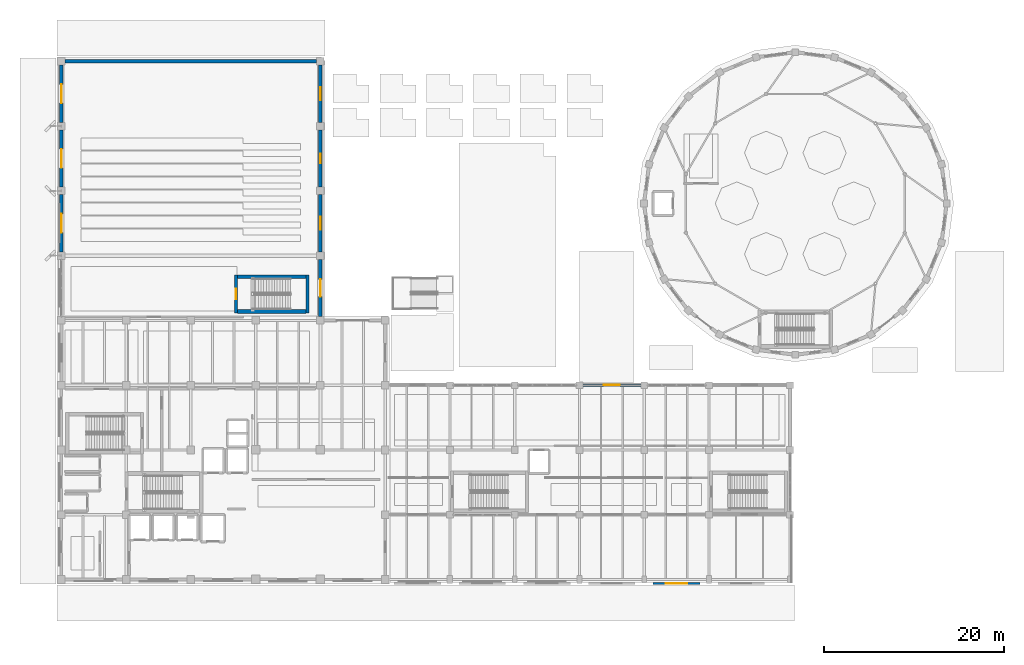
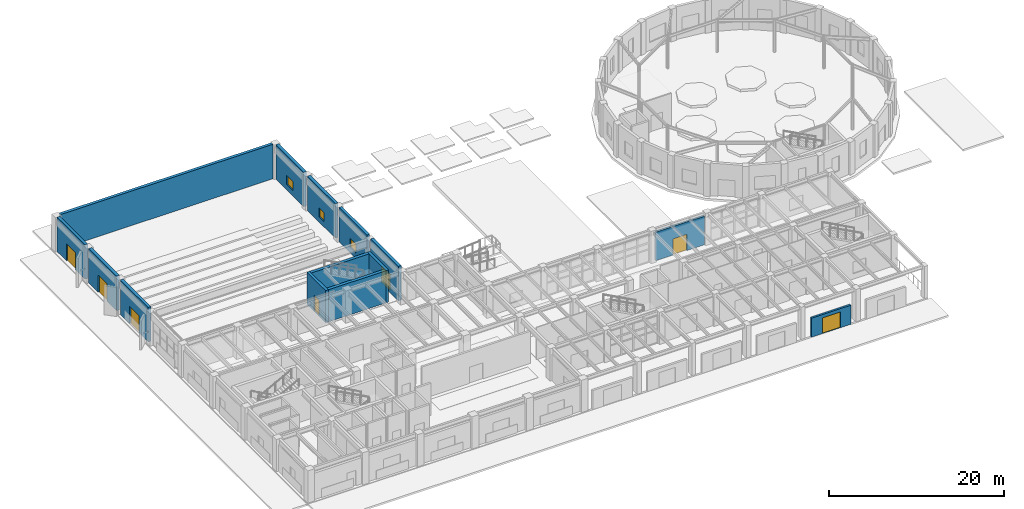
# One storey, part 26 of 39: 14 walls, 7 doors, 3 windows, 10 openings.
"""IFC4 building model written with IfcOpenShell, lengths in metres."""

from ifc_helpers import new_model, si_unit, direction, frame, frame_2d, origin, place, context, subcontext, project, spatial, rectangle, extrude, material, layer, layer_set, type_object, element, fill, save


model = new_model("IFC4")

# Units and contexts
model_context = context("Model", 3, precision=1e-05, world=origin(), true_north=direction((0.0, 1.0)))
body_context = subcontext(model_context, "Body", "Model", "MODEL_VIEW")
ifc_project = project(units=[si_unit("LENGTHUNIT", "METRE"), si_unit("AREAUNIT", "SQUARE_METRE"), si_unit("VOLUMEUNIT", "CUBIC_METRE"), si_unit("PLANEANGLEUNIT", "RADIAN"), si_unit("MASSUNIT", "GRAM", prefix="KILO")], contexts=[model_context])

# Site, building, storey
site_placement = place(None, origin())
site = spatial("IfcSite", under=ifc_project, at=site_placement, CompositionType="ELEMENT")
building_placement = place(site_placement, origin())
building = spatial("IfcBuilding", under=site, at=building_placement, Name="Kandorven Conservatory and Botanical Research Centre", CompositionType="ELEMENT")
storey_placement = place(building_placement, origin())
storey = spatial("IfcBuildingStorey", under=building, at=storey_placement, Name="L00", CompositionType="ELEMENT", Elevation=0.0)

# Walls
ifc_material_1 = material(Name="Concrete C40/50 (M50)", Category="concrete")
ifc_layer_1 = layer(ifc_material_1, 0.39990234375)
ifc_layer_set_1 = layer_set([ifc_layer_1], Name="Concrete C40/50 (M50)")
wall_type_1 = type_object("IfcWallType", Name="Wall_CW-RC-1", PredefinedType="SHEAR", material=ifc_layer_set_1)
for number, where, z_axis, x_axis, name in (
    (1, (25.60009765625, 35.794921875, 0.0), (0.0, 0.0, 1.0), (1.0, 0.0, 0.0), "Core stair shear wall CW-RC-1 ST-V2 L00 side A"),
    (2, (25.60009765625, 39.655029296875, 0.0), (0.0, 0.0, 1.0), (1.0, 0.0, 0.0), "Core stair shear wall CW-RC-1 ST-V2 L00 side B"),
):
    element("IfcWall", number, at=place(storey_placement, frame(where, z_axis=z_axis, x_axis=x_axis)), inside=storey, type_object=wall_type_1, Name=name, PredefinedType="SHEAR", context=body_context, shape_type="SweptSolid", body=[
        extrude(rectangle(XDim=7.599853515625, YDim=0.39990234375, at=frame_2d((3.7998046875, 0.0))), origin(), (0.0, 0.0, 1.0), 4.47998046875),
    ])

# Wall, opening, door
ifc_material_2 = material(Name="Concrete C40/50 (M50)", Category="concrete")
ifc_layer_2 = layer(ifc_material_2, 0.35009765625)
ifc_layer_set_2 = layer_set([ifc_layer_2], Name="Concrete C40/50 (M50)")
wall_type_2 = type_object("IfcWallType", Name="Wall_CW-RC-2", PredefinedType="SHEAR", material=ifc_layer_set_2)
wall_1_placement = place(storey_placement, frame((25.425048828125, 35.60009765625, 0.0), z_axis=(0.0, 0.0, 1.0), x_axis=(0.0, 1.0, 0.0)))
wall_1 = element("IfcWall", 3, at=wall_1_placement, inside=storey, type_object=wall_type_2, Name="Core stair shear wall CW-RC-2 ST-V2 L00 entry", PredefinedType="SHEAR", context=body_context, shape_type="SweptSolid", body=[
    extrude(rectangle(XDim=4.25, YDim=0.35009765625, at=frame_2d((2.125, 0.0))), origin(), (0.0, 0.0, 1.0), 4.47998046875),
])
opening_1_placement = place(wall_1_placement, frame((1.550048828125, 0.0, 0.0)))
opening_1 = element("IfcOpeningElement", 4, at=opening_1_placement, cuts=wall_1, Name="Opening FD-2", PredefinedType="OPENING", context=body_context, shape_type="SweptSolid", body=[
    extrude(rectangle(XDim=1.14990234375, YDim=2.199951171875, at=frame_2d((0.574951171875, 1.10009765625))), frame((0.0, 0.18505859375, 0.0), z_axis=(0.0, -1.0, 0.0), x_axis=(1.0, 0.0, 0.0)), (0.0, 0.0, 1.0), 0.3701171875),
])
ifc_material_3 = material(Name="Galvanised hollow steel fire door assembly", Category="steel")
door_type_1 = type_object("IfcDoorType", Name="Door_FD-2", OperationType="NOTDEFINED", PredefinedType="DOOR", material=ifc_material_3)
door_1_placement = place(opening_1_placement, origin())
door_1 = element("IfcDoor", 5, at=door_1_placement, inside=storey, type_object=door_type_1, Name="Exit stair fire door FD-2 ST-V2 L00", OperationType="SINGLE_SWING_LEFT", OverallHeight=2.199951171875, OverallWidth=1.14990234375, PredefinedType="DOOR", context=body_context, shape_type="SweptSolid", body=[
    extrude(rectangle(XDim=1.14990234375, YDim=2.199951171875, at=frame_2d((0.574951171875, 1.10009765625))), frame((0.0, 0.02490234375, 0.0), z_axis=(0.0, -1.0, 0.0), x_axis=(1.0, 0.0, 0.0)), (0.0, 0.0, 1.0), 0.050048828125),
])
fill(opening_1, door_1)

# Wall
wall_2_placement = place(storey_placement, frame((33.375, 35.60009765625, 0.0), z_axis=(0.0, 0.0, 1.0), x_axis=(0.0, 1.0, 0.0)))
element("IfcWall", 6, at=wall_2_placement, inside=storey, type_object=wall_type_2, Name="Core stair shear wall CW-RC-2 ST-V2 L00 far", PredefinedType="SHEAR", context=body_context, shape_type="SweptSolid", body=[
    extrude(rectangle(XDim=4.25, YDim=0.35009765625, at=frame_2d((2.125, 0.0))), origin(), (0.0, 0.0, 1.0), 4.47998046875),
])

# Wall, opening, door
ifc_material_4 = material(Name="Concrete C32/40 (M40)", Category="concrete")
ifc_layer_3 = layer(ifc_material_4, 0.280029296875)
ifc_layer_set_3 = layer_set([ifc_layer_3], Name="Concrete C32/40 (M40)")
wall_type_3 = type_object("IfcWallType", Name="Wall_EW-05", PredefinedType="STANDARD", material=ifc_layer_set_3)
wall_3_placement = place(storey_placement, frame((63.97509765625, 27.60009765625, 0.0), z_axis=(0.0, 0.0, 1.0), x_axis=(1.0, 0.0, 0.0)))
wall_3 = element("IfcWall", 7, at=wall_3_placement, inside=storey, type_object=wall_type_3, Name="Visitor centre concrete wall EW-05 N L00", PredefinedType="STANDARD", context=body_context, shape_type="SweptSolid", body=[
    extrude(rectangle(XDim=6.449951171875, YDim=0.280029296875, at=frame_2d((3.22509765625, 0.0))), origin(), (0.0, 0.0, 1.0), 3.969970703125),
])
opening_2_placement = place(wall_3_placement, frame((2.324951171875, 0.0, 0.0)))
opening_2 = element("IfcOpeningElement", 8, at=opening_2_placement, cuts=wall_3, Name="Opening ED-05", PredefinedType="OPENING", context=body_context, shape_type="SweptSolid", body=[
    extrude(rectangle(XDim=1.800048828125, YDim=2.25, at=frame_2d((0.89990234375, 1.125))), frame((0.0, 0.14990234375, 0.0), z_axis=(0.0, -1.0, 0.0), x_axis=(1.0, 0.0, 0.0)), (0.0, 0.0, 1.0), 0.300048828125),
])
ifc_material_5 = material(Name="Bronze anodised thermally broken aluminium", Category="aluminium")
door_type_2 = type_object("IfcDoorType", Name="Door_ED-05", OperationType="NOTDEFINED", PredefinedType="DOOR", material=ifc_material_5)
door_2_placement = place(opening_2_placement, origin())
door_2 = element("IfcDoor", 9, at=door_2_placement, inside=storey, type_object=door_type_2, Name="Visitor centre final exit door ED-05", OperationType="DOUBLE_DOOR_SINGLE_SWING", OverallHeight=2.25, OverallWidth=1.800048828125, PredefinedType="DOOR", context=body_context, shape_type="SweptSolid", body=[
    extrude(rectangle(XDim=1.800048828125, YDim=2.25, at=frame_2d((0.89990234375, 1.125))), frame((0.0, 0.02490234375, 0.0), z_axis=(0.0, -1.0, 0.0), x_axis=(1.0, 0.0, 0.0)), (0.0, 0.0, 1.0), 0.050048828125),
])
fill(opening_2, door_2)

ifc_material_6 = material(Name="Concrete C32/40 (M40)", Category="concrete")
ifc_layer_4 = layer(ifc_material_6, 0.260009765625)
ifc_layer_set_4 = layer_set([ifc_layer_4], Name="Concrete C32/40 (M40)")
wall_type_4 = type_object("IfcWallType", Name="Wall_EW-06", PredefinedType="STANDARD", material=ifc_layer_set_4)
wall_4_placement = place(storey_placement, frame((71.800048828125, 5.550048828125, 0.0), z_axis=(0.0, 0.0, 1.0), x_axis=(1.0, 0.0, 0.0)))
wall_4 = element("IfcWall", 10, at=wall_4_placement, inside=storey, type_object=wall_type_4, Name="Botanical courtyard northern garden screen wall 5", PredefinedType="STANDARD", context=body_context, shape_type="SweptSolid", body=[
    extrude(rectangle(XDim=5.199951171875, YDim=0.260009765625, at=frame_2d((2.60009765625, 0.0))), origin(), (0.0, 0.0, 1.0), 2.64990234375),
])
opening_3_placement = place(wall_4_placement, frame((1.39990234375, 0.0, 0.0)))
opening_3 = element("IfcOpeningElement", 11, at=opening_3_placement, cuts=wall_4, Name="Opening GD-01", PredefinedType="OPENING", context=body_context, shape_type="SweptSolid", body=[
    extrude(rectangle(XDim=2.39990234375, YDim=2.199951171875, at=frame_2d((1.199951171875, 1.10009765625))), frame((0.0, 0.139892578125, 0.0), z_axis=(0.0, -1.0, 0.0), x_axis=(1.0, 0.0, 0.0)), (0.0, 0.0, 1.0), 0.280029296875),
])
ifc_material_7 = material(Name="Bronze anodised thermally broken aluminium", Category="aluminium")
door_type_3 = type_object("IfcDoorType", Name="Door_GD-01", OperationType="NOTDEFINED", PredefinedType="GATE", material=ifc_material_7)
door_3_placement = place(opening_3_placement, origin())
door_3 = element("IfcDoor", 12, at=door_3_placement, inside=storey, type_object=door_type_3, Name="Botanical courtyard pedestrian garden gate GD-01 #5", OperationType="DOUBLE_DOOR_SINGLE_SWING", OverallHeight=2.199951171875, OverallWidth=2.39990234375, PredefinedType="GATE", context=body_context, shape_type="SweptSolid", body=[
    extrude(rectangle(XDim=2.39990234375, YDim=2.199951171875, at=frame_2d((1.199951171875, 1.10009765625))), frame((0.0, 0.02490234375, 0.0), z_axis=(0.0, -1.0, 0.0), x_axis=(1.0, 0.0, 0.0)), (0.0, 0.0, 1.0), 0.050048828125),
])
fill(opening_3, door_3)

ifc_material_8 = material(Name="Concrete C40/50 (M50)", Category="concrete")
ifc_layer_5 = layer(ifc_material_8, 0.3798828125)
ifc_layer_set_5 = layer_set([ifc_layer_5], Name="Concrete C40/50 (M50)")
wall_type_5 = type_object("IfcWallType", Name="Wall_EW-AU-01", PredefinedType="STANDARD", material=ifc_layer_set_5)
wall_5_placement = place(storey_placement, frame((6.0, 42.425048828125, 0.0), z_axis=(0.0, 0.0, 1.0), x_axis=(0.0, 1.0, 0.0)))
wall_5 = element("IfcWall", 13, at=wall_5_placement, inside=storey, type_object=wall_type_5, Name="Auditorium sculpted concrete wall W L00 bay 2", PredefinedType="STANDARD", context=body_context, shape_type="SweptSolid", body=[
    extrude(rectangle(XDim=6.349853515625, YDim=0.3798828125, at=frame_2d((3.1748046875, 0.0))), origin(), (0.0, 0.0, 1.0), 4.800048828125),
])
opening_4_placement = place(wall_5_placement, frame((2.125, 0.0, 0.0)))
opening_4 = element("IfcOpeningElement", 14, at=opening_4_placement, cuts=wall_5, Name="Opening ED-02", PredefinedType="OPENING", context=body_context, shape_type="SweptSolid", body=[
    extrude(rectangle(XDim=2.10009765625, YDim=2.39990234375, at=frame_2d((1.050048828125, 1.199951171875))), frame((0.0, 0.199951171875, 0.0), z_axis=(0.0, -1.0, 0.0), x_axis=(1.0, 0.0, 0.0)), (0.0, 0.0, 1.0), 0.39990234375),
])
ifc_material_9 = material(Name="Bronze anodised thermally broken aluminium", Category="aluminium")
door_type_4 = type_object("IfcDoorType", Name="Door_ED-02", OperationType="NOTDEFINED", PredefinedType="DOOR", material=ifc_material_9)
door_4_placement = place(opening_4_placement, origin())
door_4 = element("IfcDoor", 15, at=door_4_placement, inside=storey, type_object=door_type_4, Name="Auditorium final exit door ED-02", OperationType="DOUBLE_DOOR_SINGLE_SWING", OverallHeight=2.39990234375, OverallWidth=2.10009765625, PredefinedType="DOOR", context=body_context, shape_type="SweptSolid", body=[
    extrude(rectangle(XDim=2.10009765625, YDim=2.39990234375, at=frame_2d((1.050048828125, 1.199951171875))), frame((0.0, 0.02490234375, 0.0), z_axis=(0.0, -1.0, 0.0), x_axis=(1.0, 0.0, 0.0)), (0.0, 0.0, 1.0), 0.050048828125),
])
fill(opening_4, door_4)

wall_6_placement = place(storey_placement, frame((6.0, 49.625, 0.0), z_axis=(0.0, 0.0, 1.0), x_axis=(0.0, 1.0, 0.0)))
wall_6 = element("IfcWall", 16, at=wall_6_placement, inside=storey, type_object=wall_type_5, Name="Auditorium sculpted concrete wall W L00 bay 3", PredefinedType="STANDARD", context=body_context, shape_type="SweptSolid", body=[
    extrude(rectangle(XDim=6.35009765625, YDim=0.3798828125, at=frame_2d((3.175048828125, 0.0))), origin(), (0.0, 0.0, 1.0), 4.800048828125),
])
opening_5_placement = place(wall_6_placement, frame((2.125, 0.0, 0.0)))
opening_5 = element("IfcOpeningElement", 17, at=opening_5_placement, cuts=wall_6, Name="Opening ED-02", PredefinedType="OPENING", context=body_context, shape_type="SweptSolid", body=[
    extrude(rectangle(XDim=2.10009765625, YDim=2.39990234375, at=frame_2d((1.050048828125, 1.199951171875))), frame((0.0, 0.199951171875, 0.0), z_axis=(0.0, -1.0, 0.0), x_axis=(1.0, 0.0, 0.0)), (0.0, 0.0, 1.0), 0.39990234375),
])
door_5_placement = place(opening_5_placement, origin())
door_5 = element("IfcDoor", 18, at=door_5_placement, inside=storey, type_object=door_type_4, Name="Auditorium final exit door ED-02", OperationType="DOUBLE_DOOR_SINGLE_SWING", OverallHeight=2.39990234375, OverallWidth=2.10009765625, PredefinedType="DOOR", context=body_context, shape_type="SweptSolid", body=[
    extrude(rectangle(XDim=2.10009765625, YDim=2.39990234375, at=frame_2d((1.050048828125, 1.199951171875))), frame((0.0, 0.02490234375, 0.0), z_axis=(0.0, -1.0, 0.0), x_axis=(1.0, 0.0, 0.0)), (0.0, 0.0, 1.0), 0.050048828125),
])
fill(opening_5, door_5)

wall_7_placement = place(storey_placement, frame((6.0, 56.824951171875, 0.0), z_axis=(0.0, 0.0, 1.0), x_axis=(0.0, 1.0, 0.0)))
wall_7 = element("IfcWall", 19, at=wall_7_placement, inside=storey, type_object=wall_type_5, Name="Auditorium sculpted concrete wall W L00 bay 4", PredefinedType="STANDARD", context=body_context, shape_type="SweptSolid", body=[
    extrude(rectangle(XDim=6.35009765625, YDim=0.3798828125, at=frame_2d((3.175048828125, 0.0))), origin(), (0.0, 0.0, 1.0), 4.800048828125),
])
opening_6_placement = place(wall_7_placement, frame((2.125, 0.0, 0.0)))
opening_6 = element("IfcOpeningElement", 20, at=opening_6_placement, cuts=wall_7, Name="Opening ED-02", PredefinedType="OPENING", context=body_context, shape_type="SweptSolid", body=[
    extrude(rectangle(XDim=2.10009765625, YDim=2.39990234375, at=frame_2d((1.050048828125, 1.199951171875))), frame((0.0, 0.199951171875, 0.0), z_axis=(0.0, -1.0, 0.0), x_axis=(1.0, 0.0, 0.0)), (0.0, 0.0, 1.0), 0.39990234375),
])
door_6_placement = place(opening_6_placement, origin())
door_6 = element("IfcDoor", 21, at=door_6_placement, inside=storey, type_object=door_type_4, Name="Auditorium final exit door ED-02", OperationType="DOUBLE_DOOR_SINGLE_SWING", OverallHeight=2.39990234375, OverallWidth=2.10009765625, PredefinedType="DOOR", context=body_context, shape_type="SweptSolid", body=[
    extrude(rectangle(XDim=2.10009765625, YDim=2.39990234375, at=frame_2d((1.050048828125, 1.199951171875))), frame((0.0, 0.02490234375, 0.0), z_axis=(0.0, -1.0, 0.0), x_axis=(1.0, 0.0, 0.0)), (0.0, 0.0, 1.0), 0.050048828125),
])
fill(opening_6, door_6)

wall_8_placement = place(storey_placement, frame((34.800048828125, 35.22509765625, 0.0), z_axis=(0.0, 0.0, 1.0), x_axis=(0.0, 1.0, 0.0)))
wall_8 = element("IfcWall", 22, at=wall_8_placement, inside=storey, type_object=wall_type_5, Name="Auditorium sculpted concrete wall E L00 bay 1", PredefinedType="STANDARD", context=body_context, shape_type="SweptSolid", body=[
    extrude(rectangle(XDim=6.349853515625, YDim=0.3798828125, at=frame_2d((3.1748046875, 0.0))), origin(), (0.0, 0.0, 1.0), 4.800048828125),
])
opening_7_placement = place(wall_8_placement, frame((2.22509765625, 0.0, 0.0)))
opening_7 = element("IfcOpeningElement", 23, at=opening_7_placement, cuts=wall_8, Name="Opening ED-04", PredefinedType="OPENING", context=body_context, shape_type="SweptSolid", body=[
    extrude(rectangle(XDim=1.89990234375, YDim=2.300048828125, at=frame_2d((0.949951171875, 1.14990234375))), frame((0.0, 0.199951171875, 0.0), z_axis=(0.0, -1.0, 0.0), x_axis=(1.0, 0.0, 0.0)), (0.0, 0.0, 1.0), 0.39990234375),
])
ifc_material_10 = material(Name="Bronze anodised thermally broken aluminium", Category="aluminium")
door_type_5 = type_object("IfcDoorType", Name="Door_ED-04", OperationType="NOTDEFINED", PredefinedType="DOOR", material=ifc_material_10)
door_7_placement = place(opening_7_placement, frame((1.89990234375, 0.0, 0.0), z_axis=(0.0, 0.0, 1.0), x_axis=(-1.0, 0.0, 0.0)))
door_7 = element("IfcDoor", 24, at=door_7_placement, inside=storey, type_object=door_type_5, Name="Auditorium final exit door ED-04", OperationType="DOUBLE_DOOR_SINGLE_SWING", OverallHeight=2.300048828125, OverallWidth=1.89990234375, PredefinedType="DOOR", context=body_context, shape_type="SweptSolid", body=[
    extrude(rectangle(XDim=1.89990234375, YDim=2.300048828125, at=frame_2d((0.949951171875, 1.14990234375))), frame((0.0, 0.02490234375, 0.0), z_axis=(0.0, -1.0, 0.0), x_axis=(1.0, 0.0, 0.0)), (0.0, 0.0, 1.0), 0.050048828125),
])
fill(opening_7, door_7)

# Wall, opening, window
wall_9_placement = place(storey_placement, frame((34.800048828125, 42.425048828125, 0.0), z_axis=(0.0, 0.0, 1.0), x_axis=(0.0, 1.0, 0.0)))
wall_9 = element("IfcWall", 25, at=wall_9_placement, inside=storey, type_object=wall_type_5, Name="Auditorium sculpted concrete wall E L00 bay 2", PredefinedType="STANDARD", context=body_context, shape_type="SweptSolid", body=[
    extrude(rectangle(XDim=6.349853515625, YDim=0.3798828125, at=frame_2d((3.1748046875, 0.0))), origin(), (0.0, 0.0, 1.0), 4.800048828125),
])
opening_8_placement = place(wall_9_placement, frame((2.47509765625, 0.0, 0.75)))
opening_8 = element("IfcOpeningElement", 26, at=opening_8_placement, cuts=wall_9, Name="Opening W-46", PredefinedType="OPENING", context=body_context, shape_type="SweptSolid", body=[
    extrude(rectangle(XDim=1.39990234375, YDim=1.25, at=frame_2d((0.699951171875, 0.625))), frame((0.0, 0.199951171875, 0.0), z_axis=(0.0, -1.0, 0.0), x_axis=(1.0, 0.0, 0.0)), (0.0, 0.0, 1.0), 0.39990234375),
])
ifc_material_11 = material(Name="Double-glazed solar-control low-E glass", Category="glass")
window_type_1 = type_object("IfcWindowType", Name="Win_W-46", PartitioningType="DOUBLE_PANEL_VERTICAL", PredefinedType="WINDOW", material=ifc_material_11)
window_1_placement = place(opening_8_placement, origin())
window_1 = element("IfcWindow", 27, at=window_1_placement, inside=storey, type_object=window_type_1, Name="Auditorium vertical slot window W-46", OverallHeight=1.25, OverallWidth=1.39990234375, PartitioningType="SINGLE_PANEL", PredefinedType="WINDOW", context=body_context, shape_type="SweptSolid", body=[
    extrude(rectangle(XDim=1.39990234375, YDim=1.25, at=frame_2d((0.699951171875, 0.625))), frame((0.0, 0.030029296875, 0.0), z_axis=(0.0, -1.0, 0.0), x_axis=(1.0, 0.0, 0.0)), (0.0, 0.0, 1.0), 0.06005859375),
])
fill(opening_8, window_1)

wall_10_placement = place(storey_placement, frame((34.800048828125, 49.625, 0.0), z_axis=(0.0, 0.0, 1.0), x_axis=(0.0, 1.0, 0.0)))
wall_10 = element("IfcWall", 28, at=wall_10_placement, inside=storey, type_object=wall_type_5, Name="Auditorium sculpted concrete wall E L00 bay 3", PredefinedType="STANDARD", context=body_context, shape_type="SweptSolid", body=[
    extrude(rectangle(XDim=6.35009765625, YDim=0.3798828125, at=frame_2d((3.175048828125, 0.0))), origin(), (0.0, 0.0, 1.0), 4.800048828125),
])
opening_9_placement = place(wall_10_placement, frame((2.625, 0.0, 0.75)))
opening_9 = element("IfcOpeningElement", 29, at=opening_9_placement, cuts=wall_10, Name="Opening W-45", PredefinedType="OPENING", context=body_context, shape_type="SweptSolid", body=[
    extrude(rectangle(XDim=1.10009765625, YDim=1.25, at=frame_2d((0.550048828125, 0.625))), frame((0.0, 0.199951171875, 0.0), z_axis=(0.0, -1.0, 0.0), x_axis=(1.0, 0.0, 0.0)), (0.0, 0.0, 1.0), 0.39990234375),
])
ifc_material_12 = material(Name="Double-glazed solar-control low-E glass", Category="glass")
window_type_2 = type_object("IfcWindowType", Name="Win_W-45", PartitioningType="DOUBLE_PANEL_VERTICAL", PredefinedType="WINDOW", material=ifc_material_12)
window_2_placement = place(opening_9_placement, origin())
window_2 = element("IfcWindow", 30, at=window_2_placement, inside=storey, type_object=window_type_2, Name="Auditorium vertical slot window W-45", OverallHeight=1.25, OverallWidth=1.10009765625, PartitioningType="SINGLE_PANEL", PredefinedType="WINDOW", context=body_context, shape_type="SweptSolid", body=[
    extrude(rectangle(XDim=1.10009765625, YDim=1.25, at=frame_2d((0.550048828125, 0.625))), frame((0.0, 0.030029296875, 0.0), z_axis=(0.0, -1.0, 0.0), x_axis=(1.0, 0.0, 0.0)), (0.0, 0.0, 1.0), 0.06005859375),
])
fill(opening_9, window_2)

wall_11_placement = place(storey_placement, frame((34.800048828125, 56.824951171875, 0.0), z_axis=(0.0, 0.0, 1.0), x_axis=(0.0, 1.0, 0.0)))
wall_11 = element("IfcWall", 31, at=wall_11_placement, inside=storey, type_object=wall_type_5, Name="Auditorium sculpted concrete wall E L00 bay 4", PredefinedType="STANDARD", context=body_context, shape_type="SweptSolid", body=[
    extrude(rectangle(XDim=6.35009765625, YDim=0.3798828125, at=frame_2d((3.175048828125, 0.0))), origin(), (0.0, 0.0, 1.0), 4.800048828125),
])
opening_10_placement = place(wall_11_placement, frame((2.47509765625, 0.0, 0.75)))
opening_10 = element("IfcOpeningElement", 32, at=opening_10_placement, cuts=wall_11, Name="Opening W-46", PredefinedType="OPENING", context=body_context, shape_type="SweptSolid", body=[
    extrude(rectangle(XDim=1.39990234375, YDim=1.25, at=frame_2d((0.699951171875, 0.625))), frame((0.0, 0.199951171875, 0.0), z_axis=(0.0, -1.0, 0.0), x_axis=(1.0, 0.0, 0.0)), (0.0, 0.0, 1.0), 0.39990234375),
])
window_3_placement = place(opening_10_placement, origin())
window_3 = element("IfcWindow", 33, at=window_3_placement, inside=storey, type_object=window_type_1, Name="Auditorium vertical slot window W-46", OverallHeight=1.25, OverallWidth=1.39990234375, PartitioningType="SINGLE_PANEL", PredefinedType="WINDOW", context=body_context, shape_type="SweptSolid", body=[
    extrude(rectangle(XDim=1.39990234375, YDim=1.25, at=frame_2d((0.699951171875, 0.625))), frame((0.0, 0.030029296875, 0.0), z_axis=(0.0, -1.0, 0.0), x_axis=(1.0, 0.0, 0.0)), (0.0, 0.0, 1.0), 0.06005859375),
])
fill(opening_10, window_3)

# Wall
wall_12_placement = place(storey_placement, frame((6.425048828125, 63.60009765625, 0.0), z_axis=(0.0, 0.0, 1.0), x_axis=(1.0, 0.0, 0.0)))
element("IfcWall", 34, at=wall_12_placement, inside=storey, type_object=wall_type_5, Name="Auditorium north stage concrete wall L00", PredefinedType="STANDARD", context=body_context, shape_type="SweptSolid", body=[
    extrude(rectangle(XDim=27.949951171875, YDim=0.3798828125, at=frame_2d((13.97509765625, 0.0))), origin(), (0.0, 0.0, 1.0), 4.800048828125),
])

save(model, "model.ifc")
